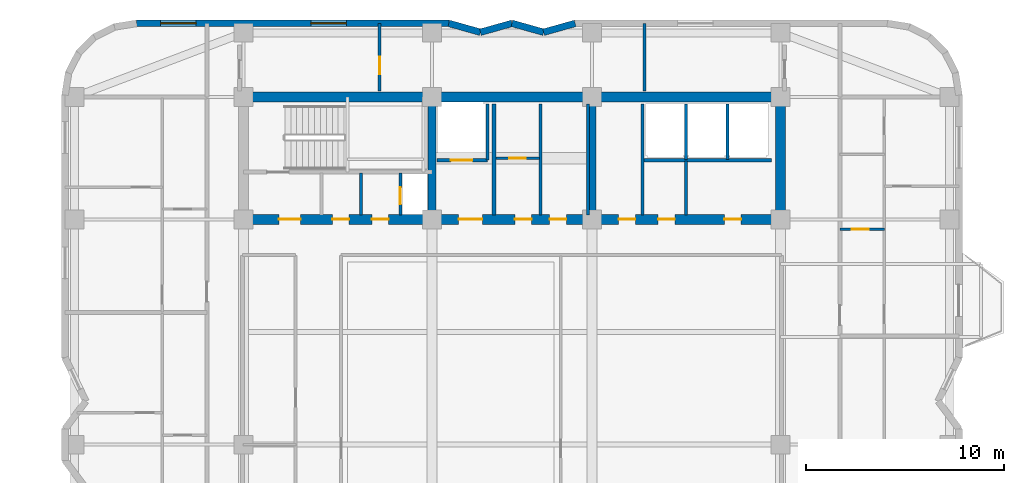
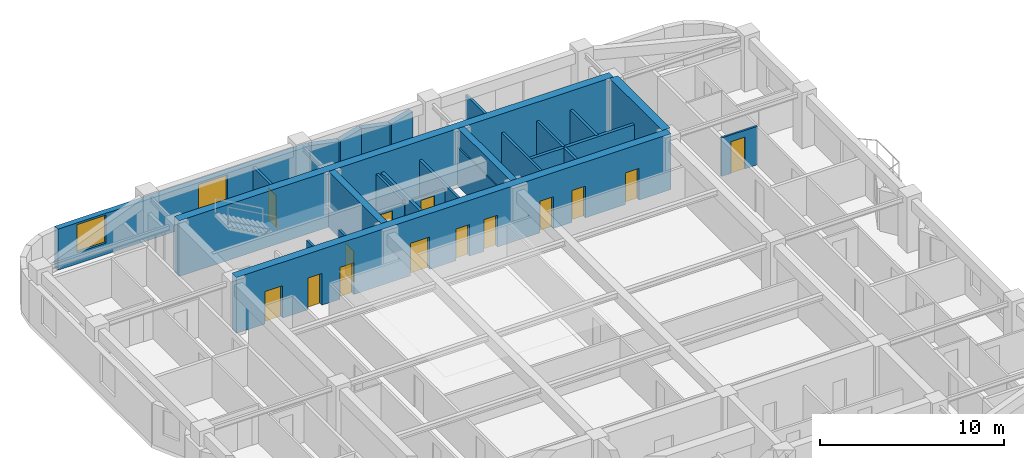
# One storey, part 6 of 10: 26 walls, 14 doors, 2 windows, 16 openings.
"""IFC4 building model written with IfcOpenShell, lengths in metres."""

import ifcopenshell
import ifcopenshell.guid

model = None  # the IFC model being written
_history = None  # IfcOwnerHistory: only IFC2X3 demands one
_inside = {}  # id of a spatial element -> (the spatial element, [elements in it])
_under = {}  # id of a project, library or spatial element -> (it, [spatial elements below it])
_declared = {}  # id of a project -> (the project, [libraries it declares])
_typed = {}  # id of a type object -> (the type object, [elements of that type])
_made_of = {}  # id of a material, layer set ... -> (it, [elements and type objects made of it])


def new_model(schema):
    """Start an empty IFC model of exactly this schema.

    Asked for "IFC4X3", IfcOpenShell would pick the latest addendum, in which some entities
    have other attributes; the version numbers below select the first issue.
    IFC2X3 requires an IfcOwnerHistory on every rooted entity: one is made here for all.
    """
    global model, _history
    if schema == "IFC4X3":
        model = ifcopenshell.file(schema_version=(4, 3, 0, 0))
    else:
        model = ifcopenshell.file(schema=schema)
    _inside.clear()
    _under.clear()
    _declared.clear()
    _typed.clear()
    _made_of.clear()
    _history = None
    if model.schema == "IFC2X3":
        org = make("IfcOrganization", Name="unknown")
        user = make(
            "IfcPersonAndOrganization",
            ThePerson=make("IfcPerson", FamilyName="unknown"),
            TheOrganization=org,
        )
        app = make(
            "IfcApplication",
            ApplicationDeveloper=org,
            Version="unknown",
            ApplicationFullName="unknown",
            ApplicationIdentifier="unknown",
        )
        _history = make(
            "IfcOwnerHistory",
            OwningUser=user,
            OwningApplication=app,
            ChangeAction="ADDED",
            CreationDate=0,
        )
    return model


def make(cls, **values):
    """One entity of the class cls with the attributes given. An attribute that is None is left unset."""
    return model.create_entity(
        cls, **{name: value for name, value in values.items() if value is not None}
    )


def rooted(cls, **values):
    """An entity with a GlobalId (a new one), such as an element, a storey or a relation."""
    return make(cls, GlobalId=ifcopenshell.guid.new(), OwnerHistory=_history, **values)


def si_unit(unit_type, name, prefix=None):
    """IfcSIUnit, for example si_unit("LENGTHUNIT", "METRE", prefix="MILLI")."""
    return make("IfcSIUnit", UnitType=unit_type, Prefix=prefix, Name=name)


def assignment(units):
    """IfcUnitAssignment: the units of a project."""
    return None if units is None else make("IfcUnitAssignment", Units=units)


def point(xyz):
    """IfcCartesianPoint."""
    return None if xyz is None else make("IfcCartesianPoint", Coordinates=xyz)


def direction(xyz):
    """IfcDirection."""
    return None if xyz is None else make("IfcDirection", DirectionRatios=xyz)


def frame(location, z_axis=None, x_axis=None):
    """IfcAxis2Placement3D, a coordinate frame: its origin and axes. An axis left out is left unset."""
    return make(
        "IfcAxis2Placement3D",
        Location=point(location),
        Axis=direction(z_axis),
        RefDirection=direction(x_axis),
    )


def frame_2d(location, x_axis=None):
    """IfcAxis2Placement2D, a coordinate frame in the plane: its origin and x axis."""
    return make(
        "IfcAxis2Placement2D", Location=point(location), RefDirection=direction(x_axis)
    )


def origin():
    """The frame at (0, 0, 0) with its axes left unset."""
    return frame((0.0, 0.0, 0.0))


def place(relative_to, where):
    """IfcLocalPlacement: puts the frame where relative to a parent placement (None: the world)."""
    return make(
        "IfcLocalPlacement", PlacementRelTo=relative_to, RelativePlacement=where
    )


def context(
    kind, dimensions, precision=None, world=None, true_north=None, identifier=None
):
    """IfcGeometricRepresentationContext, for example the 3D "Model" context."""
    return make(
        "IfcGeometricRepresentationContext",
        ContextIdentifier=identifier,
        ContextType=kind,
        CoordinateSpaceDimension=dimensions,
        Precision=precision,
        WorldCoordinateSystem=world,
        TrueNorth=true_north,
    )


def subcontext(parent, identifier, kind, view, scale=None):
    """IfcGeometricRepresentationSubContext, for example "Body" below "Model"."""
    return make(
        "IfcGeometricRepresentationSubContext",
        ContextIdentifier=identifier,
        ContextType=kind,
        ParentContext=parent,
        TargetScale=scale,
        TargetView=view,
    )


def project(units=None, contexts=None):
    """IfcProject with its units and contexts."""
    return rooted(
        "IfcProject",
        Name="project",
        RepresentationContexts=contexts,
        UnitsInContext=assignment(units),
    )


def spatial(cls, under=None, at=None, **own):
    """A site, building, storey or space (cls), placed at a placement, below another one or the project."""
    s = rooted(cls, ObjectPlacement=at, **own)
    if under is not None:
        _under.setdefault(under.id(), (under, []))[1].append(s)
    return s


def profile(cls, at=None, kind="AREA", **sizes):
    """A parametric profile (cls). Its sizes go by their IFC names, for example OverallWidth=200.0."""
    return make(cls, ProfileType=kind, Position=at, **sizes)


def rectangle(**sizes):
    """IfcRectangleProfileDef."""
    return profile("IfcRectangleProfileDef", **sizes)


def extrude(swept, where, along, depth):
    """IfcExtrudedAreaSolid: the profile swept, set in the frame where, extruded along a direction by depth."""
    return make(
        "IfcExtrudedAreaSolid",
        SweptArea=swept,
        Position=where,
        ExtrudedDirection=direction(along),
        Depth=depth,
    )


def shape(context_of_items, identifier, shape_type, items):
    """IfcShapeRepresentation: the items that make up one representation, for example the "Body"."""
    return make(
        "IfcShapeRepresentation",
        ContextOfItems=context_of_items,
        RepresentationIdentifier=identifier,
        RepresentationType=shape_type,
        Items=items,
    )


def material(Name=None, Category=None):
    """IfcMaterial."""
    return make("IfcMaterial", Name=Name, Category=Category)


def layer(
    of_material, thickness, ventilated=None, Name=None, Category=None, Priority=None
):
    """IfcMaterialLayer: one layer of a wall or slab, of a material (None: an air gap)."""
    return make(
        "IfcMaterialLayer",
        Material=of_material,
        LayerThickness=thickness,
        IsVentilated=ventilated,
        Name=Name,
        Category=Category,
        Priority=Priority,
    )


def layer_set(layers, Name=None):
    """IfcMaterialLayerSet."""
    return make("IfcMaterialLayerSet", MaterialLayers=layers, LayerSetName=Name)


def made_of(thing, what):
    """Note that an element or type object is made of a material, layer set ...; save() writes the relation."""
    if what is not None:
        _made_of.setdefault(what.id(), (what, []))[1].append(thing)
    return thing


def type_object(cls, material=None, **own):
    """A type object (cls), such as IfcWallType, which elements share."""
    return made_of(rooted(cls, **own), material)


def element(
    cls,
    number,
    at=None,
    inside=None,
    cuts=None,
    type_object=None,
    material=None,
    context=None,
    identifier="Body",
    shape_type=None,
    held_by="IfcProductDefinitionShape",
    body=None,
    shapes=None,
    **own,
):
    """One element of the class cls, such as IfcWall. Its Tag is "e" and its number.

    at: its placement. inside: the storey or other place that contains it. cuts: it is an
    opening in that element (IfcRelVoidsElement). A single representation is given by context,
    identifier, shape_type and body (its items); several are given by shapes. held_by: the class
    of the entity that holds the representations. save() writes the other relations.
    """
    e = rooted(cls, Tag="e%d" % number, ObjectPlacement=at, **own)
    if body is not None:
        shapes = [shape(context, identifier, shape_type, body)]
    if shapes is not None:
        e.Representation = make(held_by, Representations=shapes)
    if inside is not None:
        _inside.setdefault(inside.id(), (inside, []))[1].append(e)
    if cuts is not None:
        rooted(
            "IfcRelVoidsElement", RelatingBuildingElement=cuts, RelatedOpeningElement=e
        )
    if type_object is not None:
        _typed.setdefault(type_object.id(), (type_object, []))[1].append(e)
    return made_of(e, material)


def fill(opening, filler):
    """IfcRelFillsElement: the door or window that sits in an opening."""
    return rooted(
        "IfcRelFillsElement",
        RelatingOpeningElement=opening,
        RelatedBuildingElement=filler,
    )


def aggregate(whole, parts):
    """IfcRelAggregates: a whole, such as a stair, and the parts it consists of."""
    return rooted("IfcRelAggregates", RelatingObject=whole, RelatedObjects=parts)


def save(model, path):
    """Write the relations noted so far, then the file.

    IfcRelAggregates (storeys below a building ...), IfcRelContainedInSpatialStructure (elements
    in a storey), IfcRelDefinesByType, IfcRelAssociatesMaterial and IfcRelDeclares: one each for
    every whole, place, type object, material and project.
    """
    for whole, parts in _under.values():
        aggregate(whole, parts)
    for where, things in _inside.values():
        rooted(
            "IfcRelContainedInSpatialStructure",
            RelatedElements=things,
            RelatingStructure=where,
        )
    for kind, things in _typed.values():
        rooted("IfcRelDefinesByType", RelatedObjects=things, RelatingType=kind)
    for what, things in _made_of.values():
        rooted("IfcRelAssociatesMaterial", RelatedObjects=things, RelatingMaterial=what)
    for by, libraries in _declared.values():
        rooted("IfcRelDeclares", RelatingContext=by, RelatedDefinitions=libraries)
    model.write(path)


model = new_model("IFC4")

# Units and contexts
model_context = context("Model", 3, precision=1e-05, world=origin(), true_north=direction((0.0, 1.0)))
body_context = subcontext(model_context, "Body", "Model", "MODEL_VIEW")
ifc_project = project(units=[si_unit("LENGTHUNIT", "METRE"), si_unit("AREAUNIT", "SQUARE_METRE"), si_unit("VOLUMEUNIT", "CUBIC_METRE"), si_unit("PLANEANGLEUNIT", "RADIAN"), si_unit("MASSUNIT", "GRAM", prefix="KILO")], contexts=[model_context])

# Site, building, storey
site_placement = place(None, origin())
site = spatial("IfcSite", under=ifc_project, at=site_placement, CompositionType="ELEMENT")
building_placement = place(site_placement, origin())
building = spatial("IfcBuilding", under=site, at=building_placement, Name="Svetorya Sky Lyceum", CompositionType="ELEMENT")
storey_placement = place(building_placement, frame((0.0, 0.0, 188.5)))
storey = spatial("IfcBuildingStorey", under=building, at=storey_placement, Name="L47", CompositionType="ELEMENT", Elevation=188.5)

# Walls
ifc_material_1 = material(Name="Concrete C40/50", Category="concrete")
ifc_layer_1 = layer(ifc_material_1, 0.39990234375)
ifc_layer_set_1 = layer_set([ifc_layer_1], Name="Concrete C40/50")
wall_type_1 = type_object("IfcWallType", Name="WL-CORE-400", PredefinedType="SHEAR", material=ifc_layer_set_1)
for number, where, z_axis, x_axis, name in (
    (1, (35.14990234375, 39.85009765625, 0.0), (0.0, 0.0, 1.0), (0.0, 1.0, 0.0), "L47 NC Internal Shear Web WEB1"),
    (2, (43.25, 39.85009765625, 0.0), (0.0, 0.0, 1.0), (0.0, 1.0, 0.0), "L47 NC Internal Shear Web WEB2"),
):
    element("IfcWall", number, at=place(storey_placement, frame(where, z_axis=z_axis, x_axis=x_axis)), inside=storey, type_object=wall_type_1, Name=name, PredefinedType="SHEAR", context=body_context, shape_type="SweptSolid", body=[
        extrude(rectangle(XDim=5.699951171875, YDim=0.39990234375, at=frame_2d((2.85009765625, 0.0))), origin(), (0.0, 0.0, 1.0), 3.699951171875),
    ])
ifc_material_2 = material(Name="Concrete C50/60", Category="concrete")
ifc_layer_2 = layer(ifc_material_2, 0.5)
ifc_layer_set_2 = layer_set([ifc_layer_2], Name="Concrete C50/60")
wall_type_2 = type_object("IfcWallType", Name="WL-CORE-500", PredefinedType="SHEAR", material=ifc_layer_set_2)
wall_1_placement = place(storey_placement, frame((25.60009765625, 45.800048828125, 0.0), z_axis=(0.0, 0.0, 1.0), x_axis=(1.0, 0.0, 0.0)))
element("IfcWall", 3, at=wall_1_placement, inside=storey, type_object=wall_type_2, Name="L47 NC Outer Core Shear Wall", PredefinedType="SHEAR", context=body_context, shape_type="SweptSolid", body=[
    extrude(rectangle(XDim=27.199951171875, YDim=0.5, at=frame_2d((13.60009765625, 0.0))), origin(), (0.0, 0.0, 1.0), 3.699951171875),
])
wall_2_placement = place(storey_placement, frame((52.800048828125, 39.85009765625, 0.0), z_axis=(0.0, 0.0, 1.0), x_axis=(0.0, 1.0, 0.0)))
element("IfcWall", 4, at=wall_2_placement, inside=storey, type_object=wall_type_2, Name="L47 NC East Core Shear Wall", PredefinedType="SHEAR", context=body_context, shape_type="SweptSolid", body=[
    extrude(rectangle(XDim=5.699951171875, YDim=0.5, at=frame_2d((2.85009765625, 0.0))), origin(), (0.0, 0.0, 1.0), 3.699951171875),
])

# Wall, openings, doors
wall_3_placement = place(storey_placement, frame((52.800048828125, 39.60009765625, 0.0), z_axis=(0.0, 0.0, 1.0), x_axis=(-1.0, 0.0, 0.0)))
wall_3 = element("IfcWall", 5, at=wall_3_placement, inside=storey, type_object=wall_type_2, Name="L47 NC Inner Core Shear Wall", PredefinedType="SHEAR", context=body_context, shape_type="SweptSolid", body=[
    extrude(rectangle(XDim=27.199951171875, YDim=0.5, at=frame_2d((13.60009765625, 0.0))), origin(), (0.0, 0.0, 1.0), 3.699951171875),
])
opening_1_placement = place(wall_3_placement, frame((24.300048828125, 0.0, 0.0)))
opening_1 = element("IfcOpeningElement", 6, at=opening_1_placement, cuts=wall_3, Name="Opening D-ST1", PredefinedType="OPENING", context=body_context, shape_type="SweptSolid", body=[
    extrude(rectangle(XDim=1.10009765625, YDim=2.14990234375, at=frame_2d((0.550048828125, 1.074951171875))), frame((0.0, 0.260009765625, 0.0), z_axis=(0.0, -1.0, 0.0), x_axis=(1.0, 0.0, 0.0)), (0.0, 0.0, 1.0), 0.52001953125),
])
opening_2_placement = place(wall_3_placement, frame((21.85009765625, 0.0, 0.0)))
opening_2 = element("IfcOpeningElement", 7, at=opening_2_placement, cuts=wall_3, Name="Opening D-CWC1", PredefinedType="OPENING", context=body_context, shape_type="SweptSolid", body=[
    extrude(rectangle(XDim=0.85009765625, YDim=2.10009765625, at=frame_2d((0.425048828125, 1.050048828125))), frame((0.0, 0.260009765625, 0.0), z_axis=(0.0, -1.0, 0.0), x_axis=(1.0, 0.0, 0.0)), (0.0, 0.0, 1.0), 0.52001953125),
])
opening_3_placement = place(wall_3_placement, frame((19.85009765625, 0.0, 0.0)))
opening_3 = element("IfcOpeningElement", 8, at=opening_3_placement, cuts=wall_3, Name="Opening D-CWC1", PredefinedType="OPENING", context=body_context, shape_type="SweptSolid", body=[
    extrude(rectangle(XDim=0.85009765625, YDim=2.10009765625, at=frame_2d((0.425048828125, 1.050048828125))), frame((0.0, 0.260009765625, 0.0), z_axis=(0.0, -1.0, 0.0), x_axis=(1.0, 0.0, 0.0)), (0.0, 0.0, 1.0), 0.52001953125),
])
opening_4_placement = place(wall_3_placement, frame((15.10009765625, 0.0, 0.0)))
opening_4 = element("IfcOpeningElement", 9, at=opening_4_placement, cuts=wall_3, Name="Opening D-FL1", PredefinedType="OPENING", context=body_context, shape_type="SweptSolid", body=[
    extrude(rectangle(XDim=1.199951171875, YDim=2.14990234375, at=frame_2d((0.60009765625, 1.074951171875))), frame((0.0, 0.260009765625, 0.0), z_axis=(0.0, -1.0, 0.0), x_axis=(1.0, 0.0, 0.0)), (0.0, 0.0, 1.0), 0.52001953125),
])
opening_5_placement = place(wall_3_placement, frame((12.60009765625, 0.0, 0.0)))
opening_5 = element("IfcOpeningElement", 10, at=opening_5_placement, cuts=wall_3, Name="Opening D-CWC1", PredefinedType="OPENING", context=body_context, shape_type="SweptSolid", body=[
    extrude(rectangle(XDim=0.85009765625, YDim=2.10009765625, at=frame_2d((0.425048828125, 1.050048828125))), frame((0.0, 0.260009765625, 0.0), z_axis=(0.0, -1.0, 0.0), x_axis=(1.0, 0.0, 0.0)), (0.0, 0.0, 1.0), 0.52001953125),
])
opening_6_placement = place(wall_3_placement, frame((10.85009765625, 0.0, 0.0)))
opening_6 = element("IfcOpeningElement", 11, at=opening_6_placement, cuts=wall_3, Name="Opening D-CWC1", PredefinedType="OPENING", context=body_context, shape_type="SweptSolid", body=[
    extrude(rectangle(XDim=0.85009765625, YDim=2.10009765625, at=frame_2d((0.425048828125, 1.050048828125))), frame((0.0, 0.260009765625, 0.0), z_axis=(0.0, -1.0, 0.0), x_axis=(1.0, 0.0, 0.0)), (0.0, 0.0, 1.0), 0.52001953125),
])
opening_7_placement = place(wall_3_placement, frame((7.35009765625, 0.0, 0.0)))
opening_7 = element("IfcOpeningElement", 12, at=opening_7_placement, cuts=wall_3, Name="Opening D-CWC1", PredefinedType="OPENING", context=body_context, shape_type="SweptSolid", body=[
    extrude(rectangle(XDim=0.85009765625, YDim=2.10009765625, at=frame_2d((0.425048828125, 1.050048828125))), frame((0.0, 0.260009765625, 0.0), z_axis=(0.0, -1.0, 0.0), x_axis=(1.0, 0.0, 0.0)), (0.0, 0.0, 1.0), 0.52001953125),
])
opening_8_placement = place(wall_3_placement, frame((5.35009765625, 0.0, 0.0)))
opening_8 = element("IfcOpeningElement", 13, at=opening_8_placement, cuts=wall_3, Name="Opening D-CWC1", PredefinedType="OPENING", context=body_context, shape_type="SweptSolid", body=[
    extrude(rectangle(XDim=0.85009765625, YDim=2.10009765625, at=frame_2d((0.425048828125, 1.050048828125))), frame((0.0, 0.260009765625, 0.0), z_axis=(0.0, -1.0, 0.0), x_axis=(1.0, 0.0, 0.0)), (0.0, 0.0, 1.0), 0.52001953125),
])
opening_9_placement = place(wall_3_placement, frame((2.0, 0.0, 0.0)))
opening_9 = element("IfcOpeningElement", 14, at=opening_9_placement, cuts=wall_3, Name="Opening D-CWC1", PredefinedType="OPENING", context=body_context, shape_type="SweptSolid", body=[
    extrude(rectangle(XDim=0.85009765625, YDim=2.10009765625, at=frame_2d((0.425048828125, 1.050048828125))), frame((0.0, 0.260009765625, 0.0), z_axis=(0.0, -1.0, 0.0), x_axis=(1.0, 0.0, 0.0)), (0.0, 0.0, 1.0), 0.52001953125),
])
ifc_material_3 = material(Name="Fire-rated galvanized steel core service closet door", Category="steel")
door_type_1 = type_object("IfcDoorType", Name="DR-CWET-850", OperationType="SINGLE_SWING_LEFT", PredefinedType="DOOR", material=ifc_material_3)
door_1_placement = place(opening_2_placement, origin())
door_1 = element("IfcDoor", 15, at=door_1_placement, inside=storey, type_object=door_type_1, Name="L47 North Cleaner Door", OperationType="SINGLE_SWING_RIGHT", OverallHeight=2.10009765625, OverallWidth=0.85009765625, PredefinedType="DOOR", context=body_context, shape_type="SweptSolid", body=[
    extrude(rectangle(XDim=0.85009765625, YDim=2.10009765625, at=frame_2d((0.425048828125, 1.050048828125))), frame((0.0, 0.02490234375, 0.0), z_axis=(0.0, -1.0, 0.0), x_axis=(1.0, 0.0, 0.0)), (0.0, 0.0, 1.0), 0.050048828125),
])
fill(opening_2, door_1)
door_2_placement = place(opening_3_placement, origin())
door_2 = element("IfcDoor", 16, at=door_2_placement, inside=storey, type_object=door_type_1, Name="L47 North Meter Door", OperationType="SINGLE_SWING_LEFT", OverallHeight=2.10009765625, OverallWidth=0.85009765625, PredefinedType="DOOR", context=body_context, shape_type="SweptSolid", body=[
    extrude(rectangle(XDim=0.85009765625, YDim=2.10009765625, at=frame_2d((0.425048828125, 1.050048828125))), frame((0.0, 0.02490234375, 0.0), z_axis=(0.0, -1.0, 0.0), x_axis=(1.0, 0.0, 0.0)), (0.0, 0.0, 1.0), 0.050048828125),
])
fill(opening_3, door_2)
door_3_placement = place(opening_5_placement, origin())
door_3 = element("IfcDoor", 17, at=door_3_placement, inside=storey, type_object=door_type_1, Name="L47 Cleaner Vestibule Door", OperationType="SINGLE_SWING_LEFT", OverallHeight=2.10009765625, OverallWidth=0.85009765625, PredefinedType="DOOR", context=body_context, shape_type="SweptSolid", body=[
    extrude(rectangle(XDim=0.85009765625, YDim=2.10009765625, at=frame_2d((0.425048828125, 1.050048828125))), frame((0.0, 0.02490234375, 0.0), z_axis=(0.0, -1.0, 0.0), x_axis=(1.0, 0.0, 0.0)), (0.0, 0.0, 1.0), 0.050048828125),
])
fill(opening_5, door_3)
door_4_placement = place(opening_6_placement, origin())
door_4 = element("IfcDoor", 18, at=door_4_placement, inside=storey, type_object=door_type_1, Name="L47 Upper Pram Store Door", OperationType="SINGLE_SWING_RIGHT", OverallHeight=2.10009765625, OverallWidth=0.85009765625, PredefinedType="DOOR", context=body_context, shape_type="SweptSolid", body=[
    extrude(rectangle(XDim=0.85009765625, YDim=2.10009765625, at=frame_2d((0.425048828125, 1.050048828125))), frame((0.0, 0.02490234375, 0.0), z_axis=(0.0, -1.0, 0.0), x_axis=(1.0, 0.0, 0.0)), (0.0, 0.0, 1.0), 0.050048828125),
])
fill(opening_6, door_4)
door_5_placement = place(opening_7_placement, origin())
door_5 = element("IfcDoor", 19, at=door_5_placement, inside=storey, type_object=door_type_1, Name="L47 High-Zone Utility Room Door", OperationType="SINGLE_SWING_LEFT", OverallHeight=2.10009765625, OverallWidth=0.85009765625, PredefinedType="DOOR", context=body_context, shape_type="SweptSolid", body=[
    extrude(rectangle(XDim=0.85009765625, YDim=2.10009765625, at=frame_2d((0.425048828125, 1.050048828125))), frame((0.0, 0.02490234375, 0.0), z_axis=(0.0, -1.0, 0.0), x_axis=(1.0, 0.0, 0.0)), (0.0, 0.0, 1.0), 0.050048828125),
])
fill(opening_7, door_5)
door_6_placement = place(opening_8_placement, origin())
door_6 = element("IfcDoor", 20, at=door_6_placement, inside=storey, type_object=door_type_1, Name="L47 North Electrical Door", OperationType="SINGLE_SWING_LEFT", OverallHeight=2.10009765625, OverallWidth=0.85009765625, PredefinedType="DOOR", context=body_context, shape_type="SweptSolid", body=[
    extrude(rectangle(XDim=0.85009765625, YDim=2.10009765625, at=frame_2d((0.425048828125, 1.050048828125))), frame((0.0, 0.02490234375, 0.0), z_axis=(0.0, -1.0, 0.0), x_axis=(1.0, 0.0, 0.0)), (0.0, 0.0, 1.0), 0.050048828125),
])
fill(opening_8, door_6)
door_7_placement = place(opening_9_placement, origin())
door_7 = element("IfcDoor", 21, at=door_7_placement, inside=storey, type_object=door_type_1, Name="L47 North Pram Door", OperationType="SINGLE_SWING_RIGHT", OverallHeight=2.10009765625, OverallWidth=0.85009765625, PredefinedType="DOOR", context=body_context, shape_type="SweptSolid", body=[
    extrude(rectangle(XDim=0.85009765625, YDim=2.10009765625, at=frame_2d((0.425048828125, 1.050048828125))), frame((0.0, 0.02490234375, 0.0), z_axis=(0.0, -1.0, 0.0), x_axis=(1.0, 0.0, 0.0)), (0.0, 0.0, 1.0), 0.050048828125),
])
fill(opening_9, door_7)
ifc_material_4 = material(Name="Powder-coated insulated galvanized stair fire door")
door_type_2 = type_object("IfcDoorType", Name="DR-FIRE-1100", OperationType="SINGLE_SWING_LEFT", PredefinedType="DOOR", material=ifc_material_4)
door_8_placement = place(opening_1_placement, origin())
door_8 = element("IfcDoor", 22, at=door_8_placement, inside=storey, type_object=door_type_2, Name="L47 North Stair Airlock Door", OperationType="SINGLE_SWING_LEFT", OverallHeight=2.14990234375, OverallWidth=1.10009765625, PredefinedType="DOOR", context=body_context, shape_type="SweptSolid", body=[
    extrude(rectangle(XDim=1.10009765625, YDim=2.14990234375, at=frame_2d((0.550048828125, 1.074951171875))), frame((0.0, 0.02490234375, 0.0), z_axis=(0.0, -1.0, 0.0), x_axis=(1.0, 0.0, 0.0)), (0.0, 0.0, 1.0), 0.050048828125),
])
fill(opening_1, door_8)
ifc_material_5 = material(Name="Powder-coated insulated galvanized fire door")
door_type_3 = type_object("IfcDoorType", Name="DR-FIRE-1200", OperationType="SINGLE_SWING_LEFT", PredefinedType="DOOR", material=ifc_material_5)
door_9_placement = place(opening_4_placement, origin())
door_9 = element("IfcDoor", 23, at=door_9_placement, inside=storey, type_object=door_type_3, Name="L47 North Firefighting Lift Lobby Door", OperationType="SINGLE_SWING_RIGHT", OverallHeight=2.14990234375, OverallWidth=1.199951171875, PredefinedType="DOOR", context=body_context, shape_type="SweptSolid", body=[
    extrude(rectangle(XDim=1.199951171875, YDim=2.14990234375, at=frame_2d((0.60009765625, 1.074951171875))), frame((0.0, 0.02490234375, 0.0), z_axis=(0.0, -1.0, 0.0), x_axis=(1.0, 0.0, 0.0)), (0.0, 0.0, 1.0), 0.050048828125),
])
fill(opening_4, door_9)

# Walls
ifc_material_6 = material(Name="Putilovo limestone rainscreen on autoclaved cellular masonry", Category="masonry")
ifc_layer_3 = layer(ifc_material_6, 0.340087890625)
ifc_layer_set_3 = layer_set([ifc_layer_3], Name="Putilovo limestone rainscreen on autoclaved cellular masonry")
wall_type_3 = type_object("IfcWallType", Name="WL-EXT-340", PredefinedType="SOLIDWALL", material=ifc_layer_set_3)
wall_4_placement = place(storey_placement, frame((42.39990234375, 49.530029296875, 0.0), z_axis=(0.0, 0.0, 1.0), x_axis=(-0.962652136636, -0.270741322725, 0.0)))
element("IfcWall", 24, at=wall_4_placement, inside=storey, type_object=wall_type_3, Name="L47 Limestone Exterior Wall 30M", PredefinedType="SOLIDWALL", context=body_context, shape_type="SweptSolid", body=[
    extrude(rectangle(XDim=1.661865234375, YDim=0.340087890625, at=frame_2d((0.8310546875, 0.0))), origin(), (0.0, 0.0, 1.0), 2.719970703125),
])
wall_5_placement = place(storey_placement, frame((40.800048828125, 49.080078125, 0.0), z_axis=(0.0, 0.0, 1.0), x_axis=(-0.962662902433, 0.270703040766, 0.0)))
element("IfcWall", 25, at=wall_5_placement, inside=storey, type_object=wall_type_3, Name="L47 Limestone Exterior Wall 31M", PredefinedType="SOLIDWALL", context=body_context, shape_type="SweptSolid", body=[
    extrude(rectangle(XDim=1.662109375, YDim=0.340087890625, at=frame_2d((0.8310546875, 0.0))), origin(), (0.0, 0.0, 1.0), 2.719970703125),
])
wall_6_placement = place(storey_placement, frame((39.199951171875, 49.530029296875, 0.0), z_axis=(0.0, 0.0, 1.0), x_axis=(-0.962652136636, -0.270741322725, 0.0)))
element("IfcWall", 26, at=wall_6_placement, inside=storey, type_object=wall_type_3, Name="L47 Limestone Exterior Wall 32M", PredefinedType="SOLIDWALL", context=body_context, shape_type="SweptSolid", body=[
    extrude(rectangle(XDim=1.661865234375, YDim=0.340087890625, at=frame_2d((0.8310546875, 0.0))), origin(), (0.0, 0.0, 1.0), 2.719970703125),
])
wall_7_placement = place(storey_placement, frame((37.60009765625, 49.080078125, 0.0), z_axis=(0.0, 0.0, 1.0), x_axis=(-0.962662902433, 0.270703040766, 0.0)))
element("IfcWall", 27, at=wall_7_placement, inside=storey, type_object=wall_type_3, Name="L47 Limestone Exterior Wall 33M", PredefinedType="SOLIDWALL", context=body_context, shape_type="SweptSolid", body=[
    extrude(rectangle(XDim=1.662109375, YDim=0.340087890625, at=frame_2d((0.8310546875, 0.0))), origin(), (0.0, 0.0, 1.0), 2.719970703125),
])

# Wall, openings, windows
wall_8_placement = place(storey_placement, frame((36.0, 49.530029296875, 0.0), z_axis=(0.0, 0.0, 1.0), x_axis=(-1.0, 0.0, 0.0)))
wall_8 = element("IfcWall", 28, at=wall_8_placement, inside=storey, type_object=wall_type_3, Name="L47 Limestone Exterior Wall 34M", PredefinedType="SOLIDWALL", context=body_context, shape_type="SweptSolid", body=[
    extrude(rectangle(XDim=15.800048828125, YDim=0.340087890625, at=frame_2d((7.89990234375, 0.0))), origin(), (0.0, 0.0, 1.0), 2.719970703125),
])
opening_10_placement = place(wall_8_placement, frame((5.1875, 0.0, 0.75)))
opening_10 = element("IfcOpeningElement", 29, at=opening_10_placement, cuts=wall_8, Name="Opening W-R1", PredefinedType="OPENING", context=body_context, shape_type="SweptSolid", body=[
    extrude(rectangle(XDim=1.800048828125, YDim=1.85009765625, at=frame_2d((0.89990234375, 0.925048828125))), frame((0.0, 0.179931640625, 0.0), z_axis=(0.0, -1.0, 0.0), x_axis=(1.0, 0.0, 0.0)), (0.0, 0.0, 1.0), 0.360107421875),
])
opening_11_placement = place(wall_8_placement, frame((12.78759765625, 0.0, 0.75)))
opening_11 = element("IfcOpeningElement", 30, at=opening_11_placement, cuts=wall_8, Name="Opening W-R1", PredefinedType="OPENING", context=body_context, shape_type="SweptSolid", body=[
    extrude(rectangle(XDim=1.800048828125, YDim=1.85009765625, at=frame_2d((0.89990234375, 0.925048828125))), frame((0.0, 0.179931640625, 0.0), z_axis=(0.0, -1.0, 0.0), x_axis=(1.0, 0.0, 0.0)), (0.0, 0.0, 1.0), 0.360107421875),
])
ifc_material_7 = material(Name="Thermally broken aluminium frame with triple low-E glazing", Category="aluminium")
window_type = type_object("IfcWindowType", Name="WN-RES-180", PartitioningType="DOUBLE_PANEL_VERTICAL", PredefinedType="WINDOW", material=ifc_material_7)
window_1_placement = place(opening_10_placement, origin())
window_1 = element("IfcWindow", 31, at=window_1_placement, inside=storey, type_object=window_type, Name="L47 Facade Window W-R1.34M.1", OverallHeight=1.85009765625, OverallWidth=1.800048828125, PartitioningType="SINGLE_PANEL", PredefinedType="WINDOW", context=body_context, shape_type="SweptSolid", body=[
    extrude(rectangle(XDim=1.800048828125, YDim=1.85009765625, at=frame_2d((0.89990234375, 0.925048828125))), frame((0.0, 0.030029296875, 0.0), z_axis=(0.0, -1.0, 0.0), x_axis=(1.0, 0.0, 0.0)), (0.0, 0.0, 1.0), 0.06005859375),
])
fill(opening_10, window_1)
window_2_placement = place(opening_11_placement, origin())
window_2 = element("IfcWindow", 32, at=window_2_placement, inside=storey, type_object=window_type, Name="L47 Facade Window W-R1.34M.2", OverallHeight=1.85009765625, OverallWidth=1.800048828125, PartitioningType="SINGLE_PANEL", PredefinedType="WINDOW", context=body_context, shape_type="SweptSolid", body=[
    extrude(rectangle(XDim=1.800048828125, YDim=1.85009765625, at=frame_2d((0.89990234375, 0.925048828125))), frame((0.0, 0.030029296875, 0.0), z_axis=(0.0, -1.0, 0.0), x_axis=(1.0, 0.0, 0.0)), (0.0, 0.0, 1.0), 0.06005859375),
])
fill(opening_11, window_2)

# Wall, opening, door
ifc_material_8 = material(Name="Twin-stud galvanized framing with double fireboard", Category="gypsum")
ifc_layer_4 = layer(ifc_material_8, 0.1201171875)
ifc_layer_set_4 = layer_set([ifc_layer_4], Name="Twin-stud galvanized framing with double fireboard")
wall_type_4 = type_object("IfcWallType", Name="WL-PART-120", PredefinedType="PARTITIONING", material=ifc_layer_set_4)
wall_9_placement = place(storey_placement, frame((38.39990234375, 42.699951171875, 0.0), z_axis=(0.0, 0.0, 1.0), x_axis=(1.0, 0.0, 0.0)))
wall_9 = element("IfcWall", 33, at=wall_9_placement, inside=storey, type_object=wall_type_4, Name="L47 Interior Partition NC-FPM-H", PredefinedType="PARTITIONING", context=body_context, shape_type="SweptSolid", body=[
    extrude(rectangle(XDim=2.2001953125, YDim=0.1201171875, at=frame_2d((1.10009765625, 0.0))), origin(), (0.0, 0.0, 1.0), 2.320068359375),
])
opening_12_placement = place(wall_9_placement, frame((0.64990234375, 0.0, 0.0)))
opening_12 = element("IfcOpeningElement", 34, at=opening_12_placement, cuts=wall_9, Name="Opening D-CWC1", PredefinedType="OPENING", context=body_context, shape_type="SweptSolid", body=[
    extrude(rectangle(XDim=0.85009765625, YDim=2.10009765625, at=frame_2d((0.425048828125, 1.050048828125))), frame((0.0, 0.070068359375, 0.0), z_axis=(0.0, -1.0, 0.0), x_axis=(1.0, 0.0, 0.0)), (0.0, 0.0, 1.0), 0.14013671875),
])
door_10_placement = place(opening_12_placement, origin())
door_10 = element("IfcDoor", 35, at=door_10_placement, inside=storey, type_object=door_type_1, Name="L47 Rear IT Closet Door", OperationType="SINGLE_SWING_LEFT", OverallHeight=2.10009765625, OverallWidth=0.85009765625, PredefinedType="DOOR", context=body_context, shape_type="SweptSolid", body=[
    extrude(rectangle(XDim=0.85009765625, YDim=2.10009765625, at=frame_2d((0.425048828125, 1.050048828125))), frame((0.0, 0.02490234375, 0.0), z_axis=(0.0, -1.0, 0.0), x_axis=(1.0, 0.0, 0.0)), (0.0, 0.0, 1.0), 0.050048828125),
])
fill(opening_12, door_10)

wall_10_placement = place(storey_placement, frame((55.800048828125, 39.10009765625, 0.0), z_axis=(0.0, 0.0, 1.0), x_axis=(1.0, 0.0, 0.0)))
wall_10 = element("IfcWall", 36, at=wall_10_placement, inside=storey, type_object=wall_type_4, Name="L47 Interior Partition E3-WH1", PredefinedType="PARTITIONING", context=body_context, shape_type="SweptSolid", body=[
    extrude(rectangle(XDim=2.25, YDim=0.1201171875, at=frame_2d((1.125, 0.0))), origin(), (0.0, 0.0, 1.0), 2.550048828125),
])
opening_13_placement = place(wall_10_placement, frame((0.60009765625, 0.0, 0.0)))
opening_13 = element("IfcOpeningElement", 37, at=opening_13_placement, cuts=wall_10, Name="Opening D-BT1", PredefinedType="OPENING", context=body_context, shape_type="SweptSolid", body=[
    extrude(rectangle(XDim=0.85009765625, YDim=2.10009765625, at=frame_2d((0.425048828125, 1.050048828125))), frame((0.0, 0.070068359375, 0.0), z_axis=(0.0, -1.0, 0.0), x_axis=(1.0, 0.0, 0.0)), (0.0, 0.0, 1.0), 0.14013671875),
])
ifc_material_9 = material(Name="Moisture-resistant laminate bathroom door")
door_type_4 = type_object("IfcDoorType", Name="DR-WET-850", OperationType="SINGLE_SWING_LEFT", PredefinedType="DOOR", material=ifc_material_9)
door_11_placement = place(opening_13_placement, origin())
door_11 = element("IfcDoor", 38, at=door_11_placement, inside=storey, type_object=door_type_4, Name="Apartment E3 Bathroom Door", OperationType="SINGLE_SWING_RIGHT", OverallHeight=2.10009765625, OverallWidth=0.85009765625, PredefinedType="DOOR", context=body_context, shape_type="SweptSolid", body=[
    extrude(rectangle(XDim=0.85009765625, YDim=2.10009765625, at=frame_2d((0.425048828125, 1.050048828125))), frame((0.0, 0.02490234375, 0.0), z_axis=(0.0, -1.0, 0.0), x_axis=(1.0, 0.0, 0.0)), (0.0, 0.0, 1.0), 0.050048828125),
])
fill(opening_13, door_11)

ifc_material_10 = material(Name="Autoclaved cellular masonry blockwork with acoustic render", Category="masonry")
ifc_layer_5 = layer(ifc_material_10, 0.14990234375)
ifc_layer_set_5 = layer_set([ifc_layer_5], Name="Autoclaved cellular masonry blockwork with acoustic render")
wall_type_5 = type_object("IfcWallType", Name="WL-PART-150", PredefinedType="PARTITIONING", material=ifc_layer_set_5)
wall_11_placement = place(storey_placement, frame((33.550048828125, 39.820068359375, 0.0), z_axis=(0.0, 0.0, 1.0), x_axis=(0.0, 1.0, 0.0)))
wall_11 = element("IfcWall", 39, at=wall_11_placement, inside=storey, type_object=wall_type_5, Name="L47 Interior Partition NC-RSRW", PredefinedType="PARTITIONING", context=body_context, shape_type="SweptSolid", body=[
    extrude(rectangle(XDim=2.1298828125, YDim=0.14990234375, at=frame_2d((1.06494140625, 0.0))), origin(), (0.0, 0.0, 1.0), 2.550048828125),
])
opening_14_placement = place(wall_11_placement, frame((0.550048828125, 0.0, 0.0)))
opening_14 = element("IfcOpeningElement", 40, at=opening_14_placement, cuts=wall_11, Name="Opening D-SH1", PredefinedType="OPENING", context=body_context, shape_type="SweptSolid", body=[
    extrude(rectangle(XDim=0.85009765625, YDim=2.050048828125, at=frame_2d((0.425048828125, 1.02490234375))), frame((0.0, 0.0849609375, 0.0), z_axis=(0.0, -1.0, 0.0), x_axis=(1.0, 0.0, 0.0)), (0.0, 0.0, 1.0), 0.169921875),
])
ifc_material_11 = material(Name="Insulated galvanized riser inspection fire door")
door_type_5 = type_object("IfcDoorType", Name="DR-SHFT-850", OperationType="SINGLE_SWING_LEFT", PredefinedType="TRAPDOOR", material=ifc_material_11)
door_12_placement = place(opening_14_placement, origin())
door_12 = element("IfcDoor", 41, at=door_12_placement, inside=storey, type_object=door_type_5, Name="L47 North Riser Access Door", OperationType="SINGLE_SWING_LEFT", OverallHeight=2.050048828125, OverallWidth=0.85009765625, PredefinedType="TRAPDOOR", context=body_context, shape_type="SweptSolid", body=[
    extrude(rectangle(XDim=0.85009765625, YDim=2.050048828125, at=frame_2d((0.425048828125, 1.02490234375))), frame((0.0, 0.02490234375, 0.0), z_axis=(0.0, -1.0, 0.0), x_axis=(1.0, 0.0, 0.0)), (0.0, 0.0, 1.0), 0.050048828125),
])
fill(opening_14, door_12)

# Walls
wall_12_placement = place(storey_placement, frame((31.550048828125, 39.820068359375, 0.0), z_axis=(0.0, 0.0, 1.0), x_axis=(0.0, 1.0, 0.0)))
element("IfcWall", 42, at=wall_12_placement, inside=storey, type_object=wall_type_5, Name="L47 Interior Partition NC-NWD2", PredefinedType="PARTITIONING", context=body_context, shape_type="SweptSolid", body=[
    extrude(rectangle(XDim=2.1298828125, YDim=0.14990234375, at=frame_2d((1.06494140625, 0.0))), origin(), (0.0, 0.0, 1.0), 2.550048828125),
])
wall_13_placement = place(storey_placement, frame((37.949951171875, 42.60009765625, 0.0), z_axis=(0.0, 0.0, 1.0), x_axis=(0.0, 1.0, 0.0)))
element("IfcWall", 43, at=wall_13_placement, inside=storey, type_object=wall_type_5, Name="L47 Interior Partition NC-FL1SIDE", PredefinedType="PARTITIONING", context=body_context, shape_type="SweptSolid", body=[
    extrude(rectangle(XDim=2.849853515625, YDim=0.14990234375, at=frame_2d((1.4248046875, 0.0))), origin(), (0.0, 0.0, 1.0), 2.550048828125),
])
for number, where, z_axis, x_axis, name in (
    (44, (43.050048828125, 39.820068359375, 0.0), (0.0, 0.0, 1.0), (0.0, 1.0, 0.0), "L47 Interior Partition NC-FPM-END"),
    (45, (40.64990234375, 39.820068359375, 0.0), (0.0, 0.0, 1.0), (0.0, 1.0, 0.0), "L47 Interior Partition NC-FPM-V"),
    (46, (45.800048828125, 39.820068359375, 0.0), (0.0, 0.0, 1.0), (0.0, 1.0, 0.0), "L47 Interior Partition NC-PM3-FULL"),
):
    element("IfcWall", number, at=place(storey_placement, frame(where, z_axis=z_axis, x_axis=x_axis)), inside=storey, type_object=wall_type_5, Name=name, PredefinedType="PARTITIONING", context=body_context, shape_type="SweptSolid", body=[
        extrude(rectangle(XDim=5.6298828125, YDim=0.14990234375, at=frame_2d((2.81494140625, 0.0))), origin(), (0.0, 0.0, 1.0), 2.550048828125),
    ])
for number, where, z_axis, x_axis, name in (
    (47, (48.0, 42.64990234375, 0.0), (0.0, 0.0, 1.0), (0.0, 1.0, 0.0), "L47 Interior Partition NC-PH-D1"),
    (48, (50.10009765625, 42.64990234375, 0.0), (0.0, 0.0, 1.0), (0.0, 1.0, 0.0), "L47 Interior Partition NC-PH-D2"),
):
    element("IfcWall", number, at=place(storey_placement, frame(where, z_axis=z_axis, x_axis=x_axis)), inside=storey, type_object=wall_type_5, Name=name, PredefinedType="PARTITIONING", context=body_context, shape_type="SweptSolid", body=[
        extrude(rectangle(XDim=2.800048828125, YDim=0.14990234375, at=frame_2d((1.39990234375, 0.0))), origin(), (0.0, 0.0, 1.0), 2.550048828125),
    ])
wall_14_placement = place(storey_placement, frame((48.0, 39.820068359375, 0.0), z_axis=(0.0, 0.0, 1.0), x_axis=(0.0, 1.0, 0.0)))
element("IfcWall", 49, at=wall_14_placement, inside=storey, type_object=wall_type_5, Name="L47 Interior Partition NC-ED1", PredefinedType="PARTITIONING", context=body_context, shape_type="SweptSolid", body=[
    extrude(rectangle(XDim=2.72998046875, YDim=0.14990234375, at=frame_2d((1.364990234375, 0.0))), origin(), (0.0, 0.0, 1.0), 2.550048828125),
])

# Wall, opening, door
wall_15_placement = place(storey_placement, frame((32.5, 46.10009765625, 0.0), z_axis=(0.0, 0.0, 1.0), x_axis=(0.0, 1.0, 0.0)))
wall_15 = element("IfcWall", 50, at=wall_15_placement, inside=storey, type_object=wall_type_5, Name="L47 Interior Partition N-D1", PredefinedType="PARTITIONING", context=body_context, shape_type="SweptSolid", body=[
    extrude(rectangle(XDim=3.429931640625, YDim=0.14990234375, at=frame_2d((1.71484375, 0.0))), origin(), (0.0, 0.0, 1.0), 2.550048828125),
])
opening_15_placement = place(wall_15_placement, frame((0.85009765625, 0.0, 0.0)))
opening_15 = element("IfcOpeningElement", 51, at=opening_15_placement, cuts=wall_15, Name="Opening D-RM1", PredefinedType="OPENING", context=body_context, shape_type="SweptSolid", body=[
    extrude(rectangle(XDim=0.89990234375, YDim=2.10009765625, at=frame_2d((0.449951171875, 1.050048828125))), frame((0.0, 0.0849609375, 0.0), z_axis=(0.0, -1.0, 0.0), x_axis=(1.0, 0.0, 0.0)), (0.0, 0.0, 1.0), 0.169921875),
])
ifc_material_12 = material(Name="Lacquered birch veneer internal door")
door_type_6 = type_object("IfcDoorType", Name="DR-INT-900", OperationType="SINGLE_SWING_LEFT", PredefinedType="DOOR", material=ifc_material_12)
door_13_placement = place(opening_15_placement, origin())
door_13 = element("IfcDoor", 52, at=door_13_placement, inside=storey, type_object=door_type_6, Name="L47 North Store Door", OperationType="SINGLE_SWING_RIGHT", OverallHeight=2.10009765625, OverallWidth=0.89990234375, PredefinedType="DOOR", context=body_context, shape_type="SweptSolid", body=[
    extrude(rectangle(XDim=0.89990234375, YDim=2.10009765625, at=frame_2d((0.449951171875, 1.050048828125))), frame((0.0, 0.02490234375, 0.0), z_axis=(0.0, -1.0, 0.0), x_axis=(1.0, 0.0, 0.0)), (0.0, 0.0, 1.0), 0.050048828125),
])
fill(opening_15, door_13)

# Wall
wall_16_placement = place(storey_placement, frame((45.89990234375, 46.10009765625, 0.0), z_axis=(0.0, 0.0, 1.0), x_axis=(0.0, 1.0, 0.0)))
element("IfcWall", 53, at=wall_16_placement, inside=storey, type_object=wall_type_5, Name="L47 Interior Partition N-D2", PredefinedType="PARTITIONING", context=body_context, shape_type="SweptSolid", body=[
    extrude(rectangle(XDim=3.429931640625, YDim=0.14990234375, at=frame_2d((1.71484375, 0.0))), origin(), (0.0, 0.0, 1.0), 2.550048828125),
])

# Wall, opening, door
ifc_material_13 = material(Name="Autoclaved cellular masonry blockwork with gypsum plaster", Category="masonry")
ifc_layer_6 = layer(ifc_material_13, 0.199951171875)
ifc_layer_set_6 = layer_set([ifc_layer_6], Name="Autoclaved cellular masonry blockwork with gypsum plaster")
wall_type_6 = type_object("IfcWallType", Name="WL-PART-200", PredefinedType="PARTITIONING", material=ifc_layer_set_6)
wall_17_placement = place(storey_placement, frame((37.949951171875, 42.60009765625, 0.0), z_axis=(0.0, 0.0, 1.0), x_axis=(-1.0, 0.0, 0.0)))
wall_17 = element("IfcWall", 54, at=wall_17_placement, inside=storey, type_object=wall_type_6, Name="L47 Interior Partition NC-FL1W", PredefinedType="PARTITIONING", context=body_context, shape_type="SweptSolid", body=[
    extrude(rectangle(XDim=2.550048828125, YDim=0.199951171875, at=frame_2d((1.27490234375, 0.0))), origin(), (0.0, 0.0, 1.0), 2.320068359375),
])
opening_16_placement = place(wall_17_placement, frame((0.75, 0.0, 0.0)))
opening_16 = element("IfcOpeningElement", 55, at=opening_16_placement, cuts=wall_17, Name="Opening LD-FL", PredefinedType="OPENING", context=body_context, shape_type="SweptSolid", body=[
    extrude(rectangle(XDim=1.10009765625, YDim=2.14990234375, at=frame_2d((0.550048828125, 1.074951171875))), frame((0.0, 0.10986328125, 0.0), z_axis=(0.0, -1.0, 0.0), x_axis=(1.0, 0.0, 0.0)), (0.0, 0.0, 1.0), 0.219970703125),
])
ifc_material_14 = material(Name="Fire-rated stainless AISI 304 firefighting lift landing door")
door_type_7 = type_object("IfcDoorType", Name="DR-LIFT-1100", OperationType="SLIDING_TO_LEFT", PredefinedType="DOOR", material=ifc_material_14)
door_14_placement = place(opening_16_placement, origin())
door_14 = element("IfcDoor", 56, at=door_14_placement, inside=storey, type_object=door_type_7, Name="L47 Firefighting Lift FL1 Landing Door", OperationType="SLIDING_TO_LEFT", OverallHeight=2.14990234375, OverallWidth=1.10009765625, PredefinedType="DOOR", context=body_context, shape_type="SweptSolid", body=[
    extrude(rectangle(XDim=1.10009765625, YDim=2.14990234375, at=frame_2d((0.550048828125, 1.074951171875))), frame((0.0, 0.02490234375, 0.0), z_axis=(0.0, -1.0, 0.0), x_axis=(1.0, 0.0, 0.0)), (0.0, 0.0, 1.0), 0.050048828125),
])
fill(opening_16, door_14)

# Walls
wall_18_placement = place(storey_placement, frame((38.280029296875, 39.820068359375, 0.0), z_axis=(0.0, 0.0, 1.0), x_axis=(0.0, 1.0, 0.0)))
element("IfcWall", 57, at=wall_18_placement, inside=storey, type_object=wall_type_6, Name="L47 Interior Partition NC-FFLDIV", PredefinedType="PARTITIONING", context=body_context, shape_type="SweptSolid", body=[
    extrude(rectangle(XDim=5.6298828125, YDim=0.199951171875, at=frame_2d((2.81494140625, 0.0))), origin(), (0.0, 0.0, 1.0), 2.550048828125),
])
wall_19_placement = place(storey_placement, frame((52.35009765625, 42.60009765625, 0.0), z_axis=(0.0, 0.0, 1.0), x_axis=(-1.0, 0.0, 0.0)))
element("IfcWall", 58, at=wall_19_placement, inside=storey, type_object=wall_type_6, Name="L47 Interior Partition NC-PHEW", PredefinedType="PARTITIONING", context=body_context, shape_type="SweptSolid", body=[
    extrude(rectangle(XDim=6.5, YDim=0.199951171875, at=frame_2d((3.25, 0.0))), origin(), (0.0, 0.0, 1.0), 2.550048828125),
])

save(model, "model.ifc")
